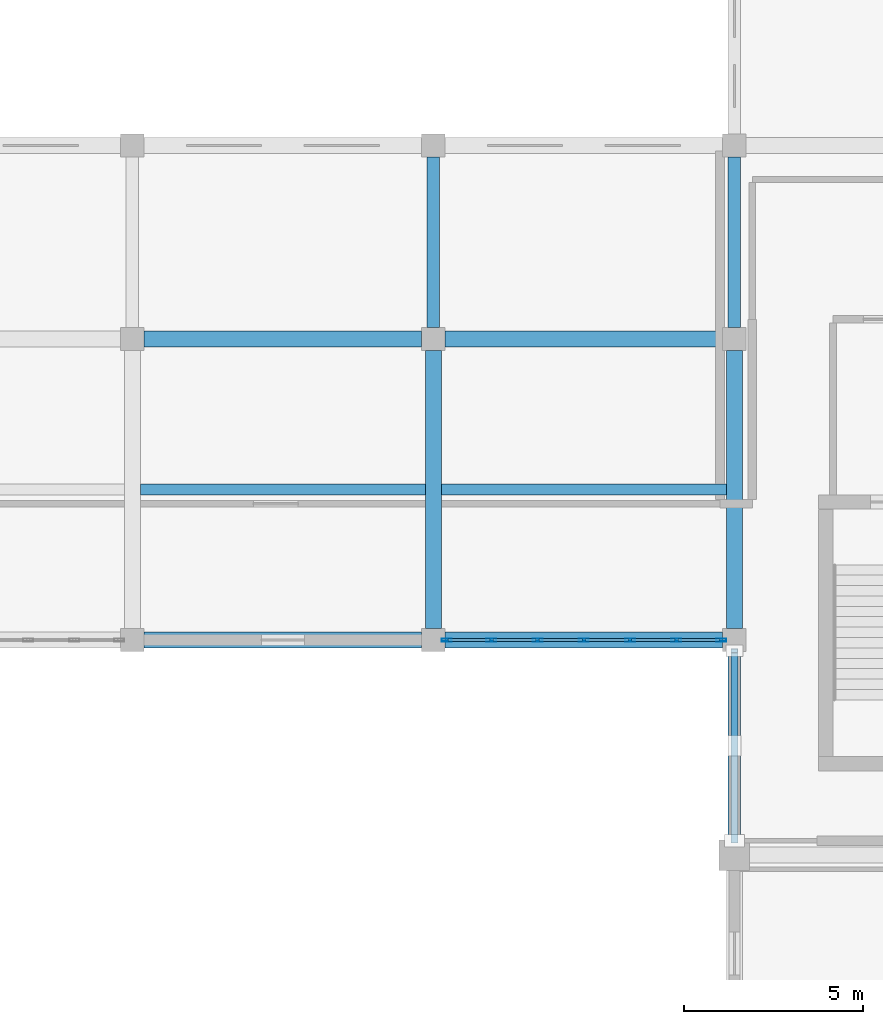
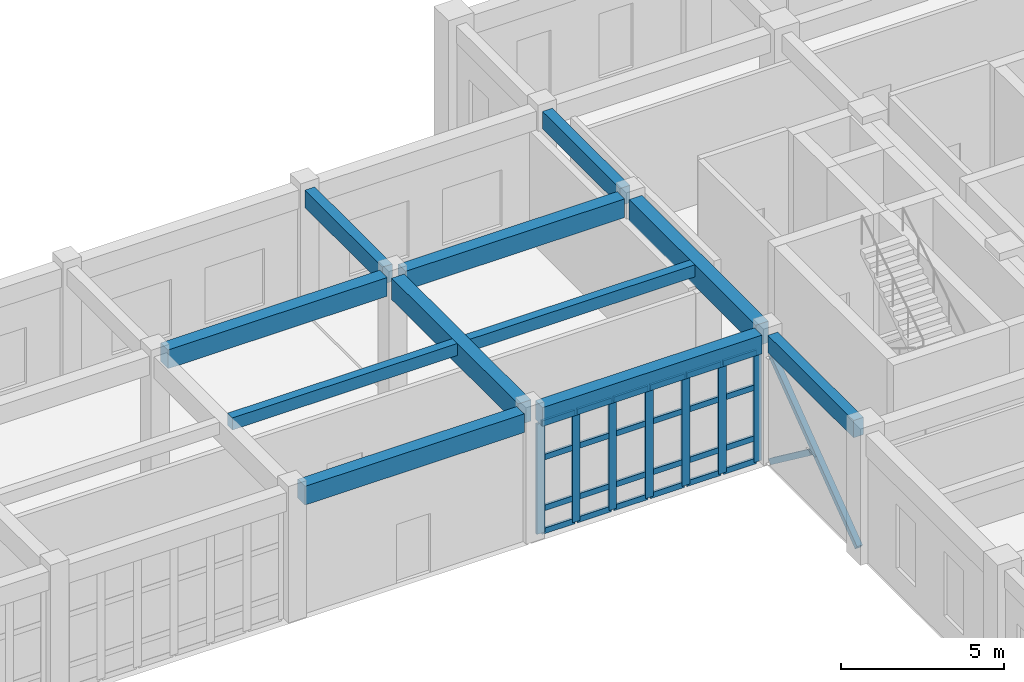
# One storey, part 40 of 80: 33 members, 11 beams, 1 element without a shape of its own.
"""IFC4 building model written with IfcOpenShell, lengths in metres."""

from ifc_helpers import new_model, si_unit, direction, frame, origin, origin_2d, place, context, subcontext, project, spatial, rectangle, hollow_rectangle, extrude, material, layer, layer_set, material_profile, profile_set, type_object, element, aggregate, save


model = new_model("IFC4")

# Units and contexts
model_context = context("Model", 3, precision=1e-05, world=origin(), true_north=direction((0.0, 1.0)))
body_context = subcontext(model_context, "Body", "Model", "MODEL_VIEW")
ifc_project = project(units=[si_unit("LENGTHUNIT", "METRE"), si_unit("AREAUNIT", "SQUARE_METRE"), si_unit("VOLUMEUNIT", "CUBIC_METRE"), si_unit("PLANEANGLEUNIT", "RADIAN"), si_unit("MASSUNIT", "GRAM", prefix="KILO")], contexts=[model_context])

# Site, building, storey
site_placement = place(None, origin())
site = spatial("IfcSite", under=ifc_project, at=site_placement, CompositionType="ELEMENT")
building_placement = place(site_placement, origin())
building = spatial("IfcBuilding", under=site, at=building_placement, Name="Krzemoval Escarpment Law Courts", CompositionType="ELEMENT")
storey_placement = place(building_placement, origin())
storey = spatial("IfcBuildingStorey", under=building, at=storey_placement, Name="L00", CompositionType="ELEMENT", Elevation=0.0)

# Beams
ifc_material_1 = material(Name="Concrete C40/50", Category="concrete")
ifc_material_profile_1 = material_profile(ifc_material_1, rectangle(XDim=0.35009765625, YDim=0.64990234375, at=origin_2d()), Name="RCB 350x650")
ifc_profile_set_1 = profile_set([ifc_material_profile_1], Name="Concrete C40/50")
beam_type_1 = type_object("IfcBeamType", Name="BM-RC-350x650", PredefinedType="BEAM", material=ifc_profile_set_1)
beam_1_placement = place(storey_placement, frame((117.60009765625, 108.324951171875, 4.4951171875), z_axis=(0.0, 1.0, 0.0), x_axis=(-1.0, 0.0, 0.0)))
element("IfcBeam", 1, at=beam_1_placement, inside=storey, type_object=beam_type_1, Name="Beam FG-L00-0949", PredefinedType="BEAM", context=body_context, shape_type="SweptSolid", body=[
    extrude(rectangle(XDim=0.35009765625, YDim=0.64990234375, at=origin_2d()), origin(), (0.0, 0.0, 1.0), 4.75),
])
beam_2_placement = place(storey_placement, frame((126.0, 94.02490234375, 4.4951171875), z_axis=(0.0, 1.0, 0.0), x_axis=(-1.0, 0.0, 0.0)))
element("IfcBeam", 2, at=beam_2_placement, inside=storey, type_object=beam_type_1, Name="Beam FG-L00-0958", PredefinedType="BEAM", context=body_context, shape_type="SweptSolid", body=[
    extrude(rectangle(XDim=0.35009765625, YDim=0.64990234375, at=origin_2d()), origin(), (0.0, 0.0, 1.0), 5.25),
])
beam_3_placement = place(storey_placement, frame((126.0, 108.324951171875, 4.4951171875), z_axis=(0.0, 1.0, 0.0), x_axis=(-1.0, 0.0, 0.0)))
element("IfcBeam", 3, at=beam_3_placement, inside=storey, type_object=beam_type_1, Name="Beam FG-L00-0960", PredefinedType="BEAM", context=body_context, shape_type="SweptSolid", body=[
    extrude(rectangle(XDim=0.35009765625, YDim=0.64990234375, at=origin_2d()), origin(), (0.0, 0.0, 1.0), 4.75),
])
ifc_material_2 = material(Name="Concrete C40/50", Category="concrete")
ifc_material_profile_2 = material_profile(ifc_material_2, rectangle(XDim=0.449951171875, YDim=0.699951171875, at=origin_2d()), Name="RCB 450x700")
ifc_profile_set_2 = profile_set([ifc_material_profile_2], Name="Concrete C40/50")
beam_type_2 = type_object("IfcBeamType", Name="BM-RC-450x700", PredefinedType="BEAM", material=ifc_profile_set_2)
for number, where, z_axis, x_axis, name in (
    (4, (109.52490234375, 99.60009765625, 4.469970703125), (1.0, 0.0, 0.0), (0.0, 1.0, 0.0), "Beam FG-L00-0754"),
    (5, (117.925048828125, 99.60009765625, 4.469970703125), (1.0, 0.0, 0.0), (0.0, 1.0, 0.0), "Beam FG-L00-0755"),
    (6, (109.52490234375, 108.0, 4.469970703125), (1.0, 0.0, 0.0), (0.0, 1.0, 0.0), "Beam FG-L00-0773"),
    (7, (117.925048828125, 108.0, 4.469970703125), (1.0, 0.0, 0.0), (0.0, 1.0, 0.0), "Beam FG-L00-0774"),
):
    element("IfcBeam", number, at=place(storey_placement, frame(where, z_axis=z_axis, x_axis=x_axis)), inside=storey, type_object=beam_type_2, Name=name, PredefinedType="BEAM", context=body_context, shape_type="SweptSolid", body=[
        extrude(rectangle(XDim=0.449951171875, YDim=0.699951171875, at=origin_2d()), origin(), (0.0, 0.0, 1.0), 7.75),
    ])
ifc_material_3 = material(Name="Concrete C40/50", Category="concrete")
ifc_material_profile_3 = material_profile(ifc_material_3, rectangle(XDim=0.449951171875, YDim=0.800048828125, at=origin_2d()), Name="RCB 450x800")
ifc_profile_set_3 = profile_set([ifc_material_profile_3], Name="Concrete C40/50")
beam_type_3 = type_object("IfcBeamType", Name="BM-RC-450x800", PredefinedType="BEAM", material=ifc_profile_set_3)
for number, where, z_axis, x_axis, name in (
    (8, (117.60009765625, 99.925048828125, 4.419921875), (0.0, 1.0, 0.0), (-1.0, 0.0, 0.0), "Beam FG-L00-0948"),
    (9, (126.0, 99.925048828125, 4.419921875), (0.0, 1.0, 0.0), (-1.0, 0.0, 0.0), "Beam FG-L00-0959"),
):
    element("IfcBeam", number, at=place(storey_placement, frame(where, z_axis=z_axis, x_axis=x_axis)), inside=storey, type_object=beam_type_3, Name=name, PredefinedType="BEAM", context=body_context, shape_type="SweptSolid", body=[
        extrude(rectangle(XDim=0.449951171875, YDim=0.800048828125, at=origin_2d()), origin(), (0.0, 0.0, 1.0), 7.75),
    ])

# Curtain wall, members
ifc_material_4 = material(Name="Aluminium 6063-T6", Category="aluminium")
ifc_layer = layer(ifc_material_4, 0.280029296875)
ifc_layer_set = layer_set([ifc_layer], Name="Aluminium 6063-T6")
curtain_wall_type = type_object("IfcCurtainWallType", Name="CW-HALL-5100", PredefinedType="USERDEFINED", material=ifc_layer_set)
curtain_wall_placement = place(storey_placement, origin())
curtain_wall = element("IfcCurtainWall", 10, at=curtain_wall_placement, inside=storey, type_object=curtain_wall_type, Name="Unitised Curtain Wall FCW-L00-006", ObjectType="UNITISED_CURTAIN_WALL", PredefinedType="USERDEFINED")
ifc_material_5 = material(Name="Aluminium 6063-T6", Category="aluminium")
ifc_material_profile_4 = material_profile(ifc_material_5, hollow_rectangle(XDim=0.0849609375, YDim=0.280029296875, WallThickness=0.005615234375, at=origin_2d()), Name="ALU M85x280")
ifc_profile_set_4 = profile_set([ifc_material_profile_4], Name="Aluminium 6063-T6")
member_type_1 = type_object("IfcMemberType", Name="CWM-85x280", PredefinedType="MULLION", material=ifc_profile_set_4)
member_1_placement = place(storey_placement, frame((125.632568359375, 99.60009765625, 0.0), z_axis=(0.0, 0.0, 1.0), x_axis=(0.0, -1.0, 0.0)))
member_1 = element("IfcMember", 11, at=member_1_placement, type_object=member_type_1, Name="FCW-L00-006 mullion 1", PredefinedType="MULLION", context=body_context, shape_type="SweptSolid", body=[
    extrude(hollow_rectangle(XDim=0.0849609375, YDim=0.280029296875, WallThickness=0.005615234375, at=origin_2d()), origin(), (0.0, 0.0, 1.0), 4.1201171875),
])
member_2_placement = place(storey_placement, frame((124.38330078125, 99.60009765625, 0.0), z_axis=(0.0, 0.0, 1.0), x_axis=(0.0, -1.0, 0.0)))
member_2 = element("IfcMember", 12, at=member_2_placement, type_object=member_type_1, Name="FCW-L00-006 mullion 2", PredefinedType="MULLION", context=body_context, shape_type="SweptSolid", body=[
    extrude(hollow_rectangle(XDim=0.0849609375, YDim=0.280029296875, WallThickness=0.005615234375, at=origin_2d()), origin(), (0.0, 0.0, 1.0), 4.1201171875),
])
member_3_placement = place(storey_placement, frame((123.091552734375, 99.60009765625, 0.0), z_axis=(0.0, 0.0, 1.0), x_axis=(0.0, -1.0, 0.0)))
member_3 = element("IfcMember", 13, at=member_3_placement, type_object=member_type_1, Name="FCW-L00-006 mullion 3", PredefinedType="MULLION", context=body_context, shape_type="SweptSolid", body=[
    extrude(hollow_rectangle(XDim=0.0849609375, YDim=0.280029296875, WallThickness=0.005615234375, at=origin_2d()), origin(), (0.0, 0.0, 1.0), 4.1201171875),
])
member_4_placement = place(storey_placement, frame((121.800048828125, 99.60009765625, 0.0), z_axis=(0.0, 0.0, 1.0), x_axis=(0.0, -1.0, 0.0)))
member_4 = element("IfcMember", 14, at=member_4_placement, type_object=member_type_1, Name="FCW-L00-006 mullion 4", PredefinedType="MULLION", context=body_context, shape_type="SweptSolid", body=[
    extrude(hollow_rectangle(XDim=0.0849609375, YDim=0.280029296875, WallThickness=0.005615234375, at=origin_2d()), origin(), (0.0, 0.0, 1.0), 4.1201171875),
])
member_5_placement = place(storey_placement, frame((120.50830078125, 99.60009765625, 0.0), z_axis=(0.0, 0.0, 1.0), x_axis=(0.0, -1.0, 0.0)))
member_5 = element("IfcMember", 15, at=member_5_placement, type_object=member_type_1, Name="FCW-L00-006 mullion 5", PredefinedType="MULLION", context=body_context, shape_type="SweptSolid", body=[
    extrude(hollow_rectangle(XDim=0.0849609375, YDim=0.280029296875, WallThickness=0.005615234375, at=origin_2d()), origin(), (0.0, 0.0, 1.0), 4.1201171875),
])
member_6_placement = place(storey_placement, frame((119.216552734375, 99.60009765625, 0.0), z_axis=(0.0, 0.0, 1.0), x_axis=(0.0, -1.0, 0.0)))
member_6 = element("IfcMember", 16, at=member_6_placement, type_object=member_type_1, Name="FCW-L00-006 mullion 6", PredefinedType="MULLION", context=body_context, shape_type="SweptSolid", body=[
    extrude(hollow_rectangle(XDim=0.0849609375, YDim=0.280029296875, WallThickness=0.005615234375, at=origin_2d()), origin(), (0.0, 0.0, 1.0), 4.1201171875),
])
member_7_placement = place(storey_placement, frame((117.967529296875, 99.60009765625, 0.0), z_axis=(0.0, 0.0, 1.0), x_axis=(0.0, -1.0, 0.0)))
member_7 = element("IfcMember", 17, at=member_7_placement, type_object=member_type_1, Name="FCW-L00-006 mullion 7", PredefinedType="MULLION", context=body_context, shape_type="SweptSolid", body=[
    extrude(hollow_rectangle(XDim=0.0849609375, YDim=0.280029296875, WallThickness=0.005615234375, at=origin_2d()), origin(), (0.0, 0.0, 1.0), 4.1201171875),
])
ifc_material_6 = material(Name="Aluminium 6063-T6", Category="aluminium")
ifc_material_profile_5 = material_profile(ifc_material_6, hollow_rectangle(XDim=0.0849609375, YDim=0.2099609375, WallThickness=0.005615234375, at=origin_2d()), Name="ALU T85x210")
ifc_profile_set_5 = profile_set([ifc_material_profile_5], Name="Aluminium 6063-T6")
member_type_2 = type_object("IfcMemberType", Name="CWT-85x210", PredefinedType="USERDEFINED", material=ifc_profile_set_5)
member_8_placement = place(storey_placement, frame((125.590087890625, 99.60009765625, 0.04248046875), z_axis=(-1.0, 0.0, 0.0), x_axis=(0.0, -1.0, 0.0)))
member_8 = element("IfcMember", 18, at=member_8_placement, type_object=member_type_2, Name="FCW-L00-006 transom 1.1", ObjectType="TRANSOM", PredefinedType="USERDEFINED", context=body_context, shape_type="SweptSolid", body=[
    extrude(hollow_rectangle(XDim=0.0849609375, YDim=0.2099609375, WallThickness=0.005615234375, at=origin_2d()), origin(), (0.0, 0.0, 1.0), 1.164306640625),
])
member_9_placement = place(storey_placement, frame((125.590087890625, 99.60009765625, 0.89990234375), z_axis=(-1.0, 0.0, 0.0), x_axis=(0.0, -1.0, 0.0)))
member_9 = element("IfcMember", 19, at=member_9_placement, type_object=member_type_2, Name="FCW-L00-006 transom 1.2", ObjectType="TRANSOM", PredefinedType="USERDEFINED", context=body_context, shape_type="SweptSolid", body=[
    extrude(hollow_rectangle(XDim=0.0849609375, YDim=0.2099609375, WallThickness=0.005615234375, at=origin_2d()), origin(), (0.0, 0.0, 1.0), 1.164306640625),
])
member_10_placement = place(storey_placement, frame((125.590087890625, 99.60009765625, 2.800048828125), z_axis=(-1.0, 0.0, 0.0), x_axis=(0.0, -1.0, 0.0)))
member_10 = element("IfcMember", 20, at=member_10_placement, type_object=member_type_2, Name="FCW-L00-006 transom 1.3", ObjectType="TRANSOM", PredefinedType="USERDEFINED", context=body_context, shape_type="SweptSolid", body=[
    extrude(hollow_rectangle(XDim=0.0849609375, YDim=0.2099609375, WallThickness=0.005615234375, at=origin_2d()), origin(), (0.0, 0.0, 1.0), 1.164306640625),
])
member_11_placement = place(storey_placement, frame((125.590087890625, 99.60009765625, 4.077392578125), z_axis=(-1.0, 0.0, 0.0), x_axis=(0.0, -1.0, 0.0)))
member_11 = element("IfcMember", 21, at=member_11_placement, type_object=member_type_2, Name="FCW-L00-006 transom 1.4", ObjectType="TRANSOM", PredefinedType="USERDEFINED", context=body_context, shape_type="SweptSolid", body=[
    extrude(hollow_rectangle(XDim=0.0849609375, YDim=0.2099609375, WallThickness=0.005615234375, at=origin_2d()), origin(), (0.0, 0.0, 1.0), 1.164306640625),
])
member_12_placement = place(storey_placement, frame((124.3408203125, 99.60009765625, 0.04248046875), z_axis=(-1.0, 0.0, 0.0), x_axis=(0.0, -1.0, 0.0)))
member_12 = element("IfcMember", 22, at=member_12_placement, type_object=member_type_2, Name="FCW-L00-006 transom 2.1", ObjectType="TRANSOM", PredefinedType="USERDEFINED", context=body_context, shape_type="SweptSolid", body=[
    extrude(hollow_rectangle(XDim=0.0849609375, YDim=0.2099609375, WallThickness=0.005615234375, at=origin_2d()), origin(), (0.0, 0.0, 1.0), 1.20654296875),
])
member_13_placement = place(storey_placement, frame((124.3408203125, 99.60009765625, 0.89990234375), z_axis=(-1.0, 0.0, 0.0), x_axis=(0.0, -1.0, 0.0)))
member_13 = element("IfcMember", 23, at=member_13_placement, type_object=member_type_2, Name="FCW-L00-006 transom 2.2", ObjectType="TRANSOM", PredefinedType="USERDEFINED", context=body_context, shape_type="SweptSolid", body=[
    extrude(hollow_rectangle(XDim=0.0849609375, YDim=0.2099609375, WallThickness=0.005615234375, at=origin_2d()), origin(), (0.0, 0.0, 1.0), 1.20654296875),
])
member_14_placement = place(storey_placement, frame((124.3408203125, 99.60009765625, 2.800048828125), z_axis=(-1.0, 0.0, 0.0), x_axis=(0.0, -1.0, 0.0)))
member_14 = element("IfcMember", 24, at=member_14_placement, type_object=member_type_2, Name="FCW-L00-006 transom 2.3", ObjectType="TRANSOM", PredefinedType="USERDEFINED", context=body_context, shape_type="SweptSolid", body=[
    extrude(hollow_rectangle(XDim=0.0849609375, YDim=0.2099609375, WallThickness=0.005615234375, at=origin_2d()), origin(), (0.0, 0.0, 1.0), 1.20654296875),
])
member_15_placement = place(storey_placement, frame((124.3408203125, 99.60009765625, 4.077392578125), z_axis=(-1.0, 0.0, 0.0), x_axis=(0.0, -1.0, 0.0)))
member_15 = element("IfcMember", 25, at=member_15_placement, type_object=member_type_2, Name="FCW-L00-006 transom 2.4", ObjectType="TRANSOM", PredefinedType="USERDEFINED", context=body_context, shape_type="SweptSolid", body=[
    extrude(hollow_rectangle(XDim=0.0849609375, YDim=0.2099609375, WallThickness=0.005615234375, at=origin_2d()), origin(), (0.0, 0.0, 1.0), 1.20654296875),
])
member_16_placement = place(storey_placement, frame((123.049072265625, 99.60009765625, 0.04248046875), z_axis=(-1.0, 0.0, 0.0), x_axis=(0.0, -1.0, 0.0)))
member_16 = element("IfcMember", 26, at=member_16_placement, type_object=member_type_2, Name="FCW-L00-006 transom 3.1", ObjectType="TRANSOM", PredefinedType="USERDEFINED", context=body_context, shape_type="SweptSolid", body=[
    extrude(hollow_rectangle(XDim=0.0849609375, YDim=0.2099609375, WallThickness=0.005615234375, at=origin_2d()), origin(), (0.0, 0.0, 1.0), 1.20654296875),
])
member_17_placement = place(storey_placement, frame((123.049072265625, 99.60009765625, 0.89990234375), z_axis=(-1.0, 0.0, 0.0), x_axis=(0.0, -1.0, 0.0)))
member_17 = element("IfcMember", 27, at=member_17_placement, type_object=member_type_2, Name="FCW-L00-006 transom 3.2", ObjectType="TRANSOM", PredefinedType="USERDEFINED", context=body_context, shape_type="SweptSolid", body=[
    extrude(hollow_rectangle(XDim=0.0849609375, YDim=0.2099609375, WallThickness=0.005615234375, at=origin_2d()), origin(), (0.0, 0.0, 1.0), 1.20654296875),
])
member_18_placement = place(storey_placement, frame((123.049072265625, 99.60009765625, 2.800048828125), z_axis=(-1.0, 0.0, 0.0), x_axis=(0.0, -1.0, 0.0)))
member_18 = element("IfcMember", 28, at=member_18_placement, type_object=member_type_2, Name="FCW-L00-006 transom 3.3", ObjectType="TRANSOM", PredefinedType="USERDEFINED", context=body_context, shape_type="SweptSolid", body=[
    extrude(hollow_rectangle(XDim=0.0849609375, YDim=0.2099609375, WallThickness=0.005615234375, at=origin_2d()), origin(), (0.0, 0.0, 1.0), 1.20654296875),
])
member_19_placement = place(storey_placement, frame((123.049072265625, 99.60009765625, 4.077392578125), z_axis=(-1.0, 0.0, 0.0), x_axis=(0.0, -1.0, 0.0)))
member_19 = element("IfcMember", 29, at=member_19_placement, type_object=member_type_2, Name="FCW-L00-006 transom 3.4", ObjectType="TRANSOM", PredefinedType="USERDEFINED", context=body_context, shape_type="SweptSolid", body=[
    extrude(hollow_rectangle(XDim=0.0849609375, YDim=0.2099609375, WallThickness=0.005615234375, at=origin_2d()), origin(), (0.0, 0.0, 1.0), 1.20654296875),
])
member_20_placement = place(storey_placement, frame((121.757568359375, 99.60009765625, 0.04248046875), z_axis=(-1.0, 0.0, 0.0), x_axis=(0.0, -1.0, 0.0)))
member_20 = element("IfcMember", 30, at=member_20_placement, type_object=member_type_2, Name="FCW-L00-006 transom 4.1", ObjectType="TRANSOM", PredefinedType="USERDEFINED", context=body_context, shape_type="SweptSolid", body=[
    extrude(hollow_rectangle(XDim=0.0849609375, YDim=0.2099609375, WallThickness=0.005615234375, at=origin_2d()), origin(), (0.0, 0.0, 1.0), 1.206787109375),
])
member_21_placement = place(storey_placement, frame((121.757568359375, 99.60009765625, 0.89990234375), z_axis=(-1.0, 0.0, 0.0), x_axis=(0.0, -1.0, 0.0)))
member_21 = element("IfcMember", 31, at=member_21_placement, type_object=member_type_2, Name="FCW-L00-006 transom 4.2", ObjectType="TRANSOM", PredefinedType="USERDEFINED", context=body_context, shape_type="SweptSolid", body=[
    extrude(hollow_rectangle(XDim=0.0849609375, YDim=0.2099609375, WallThickness=0.005615234375, at=origin_2d()), origin(), (0.0, 0.0, 1.0), 1.206787109375),
])
member_22_placement = place(storey_placement, frame((121.757568359375, 99.60009765625, 2.800048828125), z_axis=(-1.0, 0.0, 0.0), x_axis=(0.0, -1.0, 0.0)))
member_22 = element("IfcMember", 32, at=member_22_placement, type_object=member_type_2, Name="FCW-L00-006 transom 4.3", ObjectType="TRANSOM", PredefinedType="USERDEFINED", context=body_context, shape_type="SweptSolid", body=[
    extrude(hollow_rectangle(XDim=0.0849609375, YDim=0.2099609375, WallThickness=0.005615234375, at=origin_2d()), origin(), (0.0, 0.0, 1.0), 1.206787109375),
])
member_23_placement = place(storey_placement, frame((121.757568359375, 99.60009765625, 4.077392578125), z_axis=(-1.0, 0.0, 0.0), x_axis=(0.0, -1.0, 0.0)))
member_23 = element("IfcMember", 33, at=member_23_placement, type_object=member_type_2, Name="FCW-L00-006 transom 4.4", ObjectType="TRANSOM", PredefinedType="USERDEFINED", context=body_context, shape_type="SweptSolid", body=[
    extrude(hollow_rectangle(XDim=0.0849609375, YDim=0.2099609375, WallThickness=0.005615234375, at=origin_2d()), origin(), (0.0, 0.0, 1.0), 1.206787109375),
])
member_24_placement = place(storey_placement, frame((120.4658203125, 99.60009765625, 0.04248046875), z_axis=(-1.0, 0.0, 0.0), x_axis=(0.0, -1.0, 0.0)))
member_24 = element("IfcMember", 34, at=member_24_placement, type_object=member_type_2, Name="FCW-L00-006 transom 5.1", ObjectType="TRANSOM", PredefinedType="USERDEFINED", context=body_context, shape_type="SweptSolid", body=[
    extrude(hollow_rectangle(XDim=0.0849609375, YDim=0.2099609375, WallThickness=0.005615234375, at=origin_2d()), origin(), (0.0, 0.0, 1.0), 1.20654296875),
])
member_25_placement = place(storey_placement, frame((120.4658203125, 99.60009765625, 0.89990234375), z_axis=(-1.0, 0.0, 0.0), x_axis=(0.0, -1.0, 0.0)))
member_25 = element("IfcMember", 35, at=member_25_placement, type_object=member_type_2, Name="FCW-L00-006 transom 5.2", ObjectType="TRANSOM", PredefinedType="USERDEFINED", context=body_context, shape_type="SweptSolid", body=[
    extrude(hollow_rectangle(XDim=0.0849609375, YDim=0.2099609375, WallThickness=0.005615234375, at=origin_2d()), origin(), (0.0, 0.0, 1.0), 1.20654296875),
])
member_26_placement = place(storey_placement, frame((120.4658203125, 99.60009765625, 2.800048828125), z_axis=(-1.0, 0.0, 0.0), x_axis=(0.0, -1.0, 0.0)))
member_26 = element("IfcMember", 36, at=member_26_placement, type_object=member_type_2, Name="FCW-L00-006 transom 5.3", ObjectType="TRANSOM", PredefinedType="USERDEFINED", context=body_context, shape_type="SweptSolid", body=[
    extrude(hollow_rectangle(XDim=0.0849609375, YDim=0.2099609375, WallThickness=0.005615234375, at=origin_2d()), origin(), (0.0, 0.0, 1.0), 1.20654296875),
])
member_27_placement = place(storey_placement, frame((120.4658203125, 99.60009765625, 4.077392578125), z_axis=(-1.0, 0.0, 0.0), x_axis=(0.0, -1.0, 0.0)))
member_27 = element("IfcMember", 37, at=member_27_placement, type_object=member_type_2, Name="FCW-L00-006 transom 5.4", ObjectType="TRANSOM", PredefinedType="USERDEFINED", context=body_context, shape_type="SweptSolid", body=[
    extrude(hollow_rectangle(XDim=0.0849609375, YDim=0.2099609375, WallThickness=0.005615234375, at=origin_2d()), origin(), (0.0, 0.0, 1.0), 1.20654296875),
])
member_28_placement = place(storey_placement, frame((119.174072265625, 99.60009765625, 0.04248046875), z_axis=(-1.0, 0.0, 0.0), x_axis=(0.0, -1.0, 0.0)))
member_28 = element("IfcMember", 38, at=member_28_placement, type_object=member_type_2, Name="FCW-L00-006 transom 6.1", ObjectType="TRANSOM", PredefinedType="USERDEFINED", context=body_context, shape_type="SweptSolid", body=[
    extrude(hollow_rectangle(XDim=0.0849609375, YDim=0.2099609375, WallThickness=0.005615234375, at=origin_2d()), origin(), (0.0, 0.0, 1.0), 1.1640625),
])
member_29_placement = place(storey_placement, frame((119.174072265625, 99.60009765625, 0.89990234375), z_axis=(-1.0, 0.0, 0.0), x_axis=(0.0, -1.0, 0.0)))
member_29 = element("IfcMember", 39, at=member_29_placement, type_object=member_type_2, Name="FCW-L00-006 transom 6.2", ObjectType="TRANSOM", PredefinedType="USERDEFINED", context=body_context, shape_type="SweptSolid", body=[
    extrude(hollow_rectangle(XDim=0.0849609375, YDim=0.2099609375, WallThickness=0.005615234375, at=origin_2d()), origin(), (0.0, 0.0, 1.0), 1.1640625),
])
member_30_placement = place(storey_placement, frame((119.174072265625, 99.60009765625, 2.800048828125), z_axis=(-1.0, 0.0, 0.0), x_axis=(0.0, -1.0, 0.0)))
member_30 = element("IfcMember", 40, at=member_30_placement, type_object=member_type_2, Name="FCW-L00-006 transom 6.3", ObjectType="TRANSOM", PredefinedType="USERDEFINED", context=body_context, shape_type="SweptSolid", body=[
    extrude(hollow_rectangle(XDim=0.0849609375, YDim=0.2099609375, WallThickness=0.005615234375, at=origin_2d()), origin(), (0.0, 0.0, 1.0), 1.1640625),
])
member_31_placement = place(storey_placement, frame((119.174072265625, 99.60009765625, 4.077392578125), z_axis=(-1.0, 0.0, 0.0), x_axis=(0.0, -1.0, 0.0)))
member_31 = element("IfcMember", 41, at=member_31_placement, type_object=member_type_2, Name="FCW-L00-006 transom 6.4", ObjectType="TRANSOM", PredefinedType="USERDEFINED", context=body_context, shape_type="SweptSolid", body=[
    extrude(hollow_rectangle(XDim=0.0849609375, YDim=0.2099609375, WallThickness=0.005615234375, at=origin_2d()), origin(), (0.0, 0.0, 1.0), 1.1640625),
])
aggregate(curtain_wall, [member_1, member_2, member_3, member_4, member_5, member_6, member_7, member_8, member_9, member_10, member_11, member_12, member_13, member_14, member_15, member_16, member_17, member_18, member_19, member_20, member_21, member_22, member_23, member_24, member_25, member_26, member_27, member_28, member_29, member_30, member_31])

# Beams
ifc_material_7 = material(Name="Concrete C40/50", Category="concrete")
ifc_material_profile_6 = material_profile(ifc_material_7, rectangle(XDim=0.300048828125, YDim=0.449951171875, at=origin_2d()), Name="RCB 300x450")
ifc_profile_set_6 = profile_set([ifc_material_profile_6], Name="Concrete C40/50")
beam_type_4 = type_object("IfcBeamType", Name="JST-RC-300x450", PredefinedType="JOIST", material=ifc_profile_set_6)
for number, where, z_axis, x_axis, name in (
    (42, (109.425048828125, 103.800048828125, 4.594970703125), (1.0, 0.0, 0.0), (0.0, 1.0, 0.0), "Secondary Joist FJ-L00-1117"),
    (43, (117.824951171875, 103.800048828125, 4.594970703125), (1.0, 0.0, 0.0), (0.0, 1.0, 0.0), "Secondary Joist FJ-L00-1122"),
):
    element("IfcBeam", number, at=place(storey_placement, frame(where, z_axis=z_axis, x_axis=x_axis)), inside=storey, type_object=beam_type_4, Name=name, PredefinedType="JOIST", context=body_context, shape_type="SweptSolid", body=[
        extrude(rectangle(XDim=0.300048828125, YDim=0.449951171875, at=origin_2d()), origin(), (0.0, 0.0, 1.0), 7.949951171875),
    ])

# Members
ifc_material_8 = material(Name="Steel S355", Category="steel")
ifc_material_profile_7 = material_profile(ifc_material_8, hollow_rectangle(XDim=0.199951171875, YDim=0.199951171875, WallThickness=0.010009765625, at=origin_2d()), Name="SHS 200x200x10")
ifc_profile_set_7 = profile_set([ifc_material_profile_7], Name="Steel S355")
member_type_3 = type_object("IfcMemberType", Name="MBR-BRC-SHS200", PredefinedType="BRACE", material=ifc_profile_set_7)
member_32_placement = place(storey_placement, frame((126.0, 94.0, 0.050048828125), z_axis=(0.0, 0.800367055295, 0.599510280812), x_axis=(-1.0, 0.0, 0.0)))
element("IfcMember", 44, at=member_32_placement, inside=storey, type_object=member_type_3, Name="Lateral X-Brace Continuous Diagonal BR-0239", PredefinedType="BRACE", context=body_context, shape_type="SweptSolid", body=[
    extrude(hollow_rectangle(XDim=0.199951171875, YDim=0.199951171875, WallThickness=0.010009765625, at=origin_2d()), origin(), (0.0, 0.0, 1.0), 6.6220703125),
])
member_33_placement = place(storey_placement, frame((126.0, 96.842041015625, 1.89111328125), z_axis=(0.0, 0.800381426496, -0.599491094279), x_axis=(-1.0, 0.0, 0.0)))
element("IfcMember", 45, at=member_33_placement, inside=storey, type_object=member_type_3, Name="Lateral X-Brace Split Diagonal BR-0241", PredefinedType="BRACE", context=body_context, shape_type="SweptSolid", body=[
    extrude(hollow_rectangle(XDim=0.199951171875, YDim=0.199951171875, WallThickness=0.010009765625, at=origin_2d()), origin(), (0.0, 0.0, 1.0), 3.071044921875),
])

save(model, "model.ifc")
